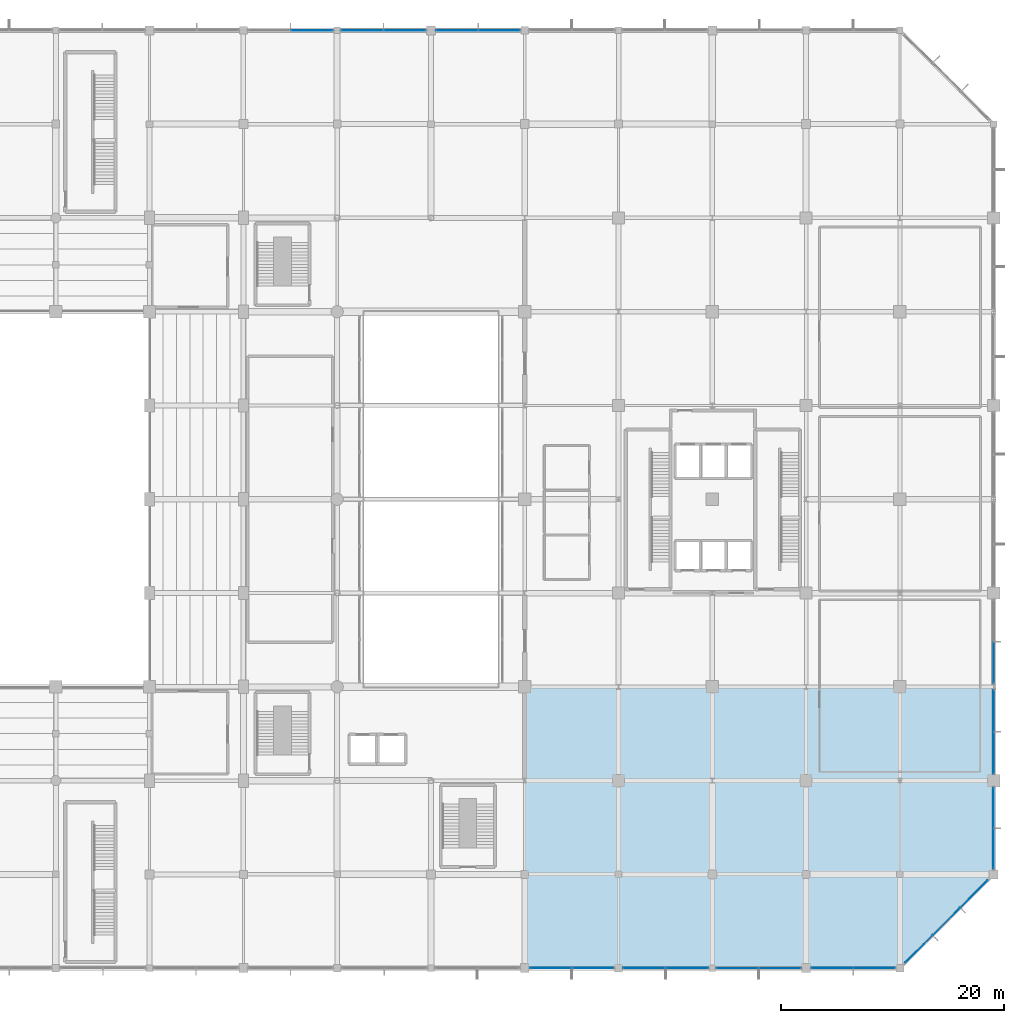
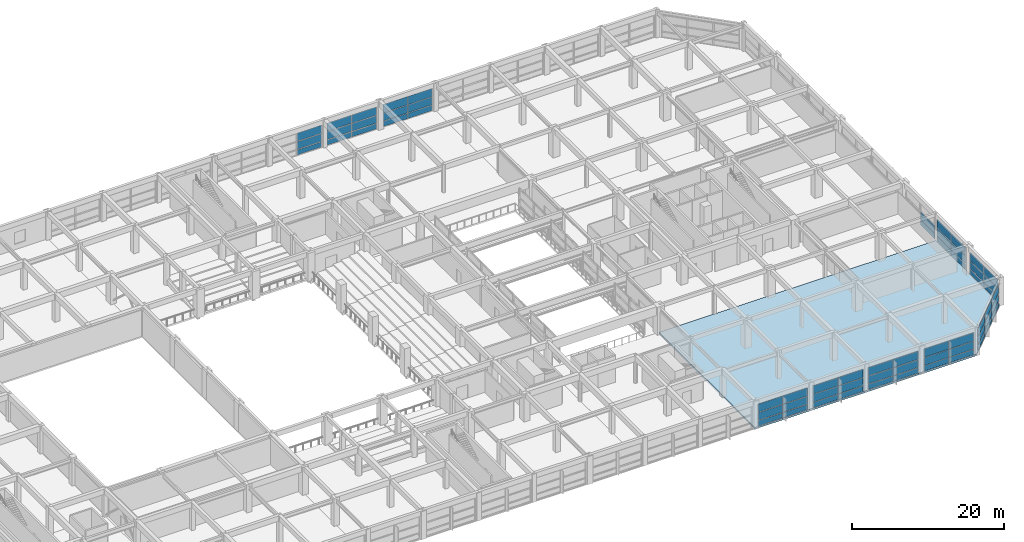
# One storey, part 46 of 62: 62 plates, 1 slab, 11 elements without a shape of their own.
"""IFC4 building model written with IfcOpenShell, lengths in metres."""

from ifc_helpers import new_model, si_unit, direction, frame, origin, origin_2d, place, context, subcontext, project, spatial, polyline, rectangle, outline, extrude, material, layer, layer_set, type_object, element, aggregate, save


model = new_model("IFC4")

# Units and contexts
model_context = context("Model", 3, precision=1e-05, world=origin(), true_north=direction((0.0, 1.0)))
body_context = subcontext(model_context, "Body", "Model", "MODEL_VIEW")
ifc_project = project(units=[si_unit("LENGTHUNIT", "METRE"), si_unit("AREAUNIT", "SQUARE_METRE"), si_unit("VOLUMEUNIT", "CUBIC_METRE"), si_unit("PLANEANGLEUNIT", "RADIAN"), si_unit("MASSUNIT", "GRAM", prefix="KILO")], contexts=[model_context])

# Site, building, storey
site_placement = place(None, origin())
site = spatial("IfcSite", under=ifc_project, at=site_placement, CompositionType="ELEMENT")
building_placement = place(site_placement, origin())
building = spatial("IfcBuilding", under=site, at=building_placement, Name="Xuanlan Plaza Opera House", CompositionType="ELEMENT")
storey_placement = place(building_placement, frame((0.0, 0.0, 14.39990234375)))
storey = spatial("IfcBuildingStorey", under=building, at=storey_placement, Name="L03", CompositionType="ELEMENT", Elevation=14.39990234375)

# Curtain wall, plates
ifc_material_1 = material(Name="Anodised Aluminium 6063-T6 and Low-E Glass", Category="aluminium")
curtain_wall_type_1 = type_object("IfcCurtainWallType", Name="ENV-CW-CW-02", PredefinedType="USERDEFINED", material=ifc_material_1)
curtain_wall_1_placement = place(storey_placement, origin())
curtain_wall_1 = element("IfcCurtainWall", 1, at=curtain_wall_1_placement, inside=storey, type_object=curtain_wall_type_1, Name="Unitised Curtain Wall L03-017", ObjectType="UNITISED CURTAIN WALL", PredefinedType="USERDEFINED")
ifc_material_2 = material(Name="Laminated Acoustic Double Glazing", Category="glass")
ifc_layer_1 = layer(ifc_material_2, 0.028076171875)
ifc_layer_set_1 = layer_set([ifc_layer_1], Name="Laminated Acoustic Double Glazing")
plate_type_1 = type_object("IfcPlateType", Name="ENV-CWP-01", PredefinedType="CURTAIN_PANEL", material=ifc_layer_set_1)
plate_1_placement = place(storey_placement, frame((145.052490234375, 16.800048828125, 0.080078125), z_axis=(0.0, 0.0, 1.0), x_axis=(1.0, 0.0, 0.0)))
plate_1 = element("IfcPlate", 2, at=plate_1_placement, type_object=plate_type_1, Name="CW-02 panel 1.1", PredefinedType="CURTAIN_PANEL", context=body_context, shape_type="SweptSolid", body=[
    extrude(rectangle(XDim=3.72509765625, YDim=0.028076171875, at=origin_2d()), origin(), (0.0, 0.0, 1.0), 0.830078125),
])
plate_2_placement = place(storey_placement, frame((145.052490234375, 16.800048828125, 0.990234375), z_axis=(0.0, 0.0, 1.0), x_axis=(1.0, 0.0, 0.0)))
plate_2 = element("IfcPlate", 3, at=plate_2_placement, type_object=plate_type_1, Name="CW-02 panel 1.2", PredefinedType="CURTAIN_PANEL", context=body_context, shape_type="SweptSolid", body=[
    extrude(rectangle(XDim=3.72509765625, YDim=0.028076171875, at=origin_2d()), origin(), (0.0, 0.0, 1.0), 1.219970703125),
])
plate_3_placement = place(storey_placement, frame((145.052490234375, 16.800048828125, 2.2900390625), z_axis=(0.0, 0.0, 1.0), x_axis=(1.0, 0.0, 0.0)))
plate_3 = element("IfcPlate", 4, at=plate_3_placement, type_object=plate_type_1, Name="CW-02 panel 1.3", PredefinedType="CURTAIN_PANEL", context=body_context, shape_type="SweptSolid", body=[
    extrude(rectangle(XDim=3.72509765625, YDim=0.028076171875, at=origin_2d()), origin(), (0.0, 0.0, 1.0), 1.31005859375),
])
plate_4_placement = place(storey_placement, frame((148.847412109375, 16.800048828125, 0.080078125), z_axis=(0.0, 0.0, 1.0), x_axis=(1.0, 0.0, 0.0)))
plate_4 = element("IfcPlate", 5, at=plate_4_placement, type_object=plate_type_1, Name="CW-02 panel 2.1", PredefinedType="CURTAIN_PANEL", context=body_context, shape_type="SweptSolid", body=[
    extrude(rectangle(XDim=3.72509765625, YDim=0.028076171875, at=origin_2d()), origin(), (0.0, 0.0, 1.0), 0.830078125),
])
plate_5_placement = place(storey_placement, frame((148.847412109375, 16.800048828125, 0.990234375), z_axis=(0.0, 0.0, 1.0), x_axis=(1.0, 0.0, 0.0)))
plate_5 = element("IfcPlate", 6, at=plate_5_placement, type_object=plate_type_1, Name="CW-02 panel 2.2", PredefinedType="CURTAIN_PANEL", context=body_context, shape_type="SweptSolid", body=[
    extrude(rectangle(XDim=3.72509765625, YDim=0.028076171875, at=origin_2d()), origin(), (0.0, 0.0, 1.0), 1.219970703125),
])
plate_6_placement = place(storey_placement, frame((148.847412109375, 16.800048828125, 2.2900390625), z_axis=(0.0, 0.0, 1.0), x_axis=(1.0, 0.0, 0.0)))
plate_6 = element("IfcPlate", 7, at=plate_6_placement, type_object=plate_type_1, Name="CW-02 panel 2.3", PredefinedType="CURTAIN_PANEL", context=body_context, shape_type="SweptSolid", body=[
    extrude(rectangle(XDim=3.72509765625, YDim=0.028076171875, at=origin_2d()), origin(), (0.0, 0.0, 1.0), 1.31005859375),
])
aggregate(curtain_wall_1, [plate_1, plate_2, plate_3, plate_4, plate_5, plate_6])

curtain_wall_type_2 = type_object("IfcCurtainWallType", Name="ENV-CW-CW-03", PredefinedType="USERDEFINED", material=ifc_material_1)
curtain_wall_2_placement = place(storey_placement, origin())
curtain_wall_2 = element("IfcCurtainWall", 8, at=curtain_wall_2_placement, inside=storey, type_object=curtain_wall_type_2, Name="Unitised Curtain Wall L03-022", ObjectType="UNITISED CURTAIN WALL", PredefinedType="USERDEFINED")
plate_7_placement = place(storey_placement, frame((168.0, 44.139892578125, 0.080078125), z_axis=(0.0, 0.0, 1.0), x_axis=(0.0, 1.0, 0.0)))
plate_7 = element("IfcPlate", 9, at=plate_7_placement, type_object=plate_type_1, Name="CW-03 panel 1.1", PredefinedType="CURTAIN_PANEL", context=body_context, shape_type="SweptSolid", body=[
    extrude(rectangle(XDim=3.699951171875, YDim=0.028076171875, at=origin_2d()), origin(), (0.0, 0.0, 1.0), 0.830078125),
])
plate_8_placement = place(storey_placement, frame((168.0, 44.139892578125, 0.990234375), z_axis=(0.0, 0.0, 1.0), x_axis=(0.0, 1.0, 0.0)))
plate_8 = element("IfcPlate", 10, at=plate_8_placement, type_object=plate_type_1, Name="CW-03 panel 1.2", PredefinedType="CURTAIN_PANEL", context=body_context, shape_type="SweptSolid", body=[
    extrude(rectangle(XDim=3.699951171875, YDim=0.028076171875, at=origin_2d()), origin(), (0.0, 0.0, 1.0), 1.219970703125),
])
aggregate(curtain_wall_2, [plate_7, plate_8])

curtain_wall_type_3 = type_object("IfcCurtainWallType", Name="ENV-CW-CW-04", PredefinedType="USERDEFINED", material=ifc_material_1)
curtain_wall_3_placement = place(storey_placement, origin())
curtain_wall_3 = element("IfcCurtainWall", 11, at=curtain_wall_3_placement, inside=storey, type_object=curtain_wall_type_3, Name="Unitised Curtain Wall L03-019", ObjectType="UNITISED CURTAIN WALL", PredefinedType="USERDEFINED")
ifc_layer_2 = layer(ifc_material_2, 0.031982421875)
ifc_layer_set_2 = layer_set([ifc_layer_2], Name="Laminated Acoustic Double Glazing")
plate_type_2 = type_object("IfcPlateType", Name="ENV-CWP-02", PredefinedType="CURTAIN_PANEL", material=ifc_layer_set_2)
plate_9_placement = place(storey_placement, frame((161.30517578125, 18.505126953125, 0.0751953125), z_axis=(0.0, 0.0, 1.0), x_axis=(0.707106781187, 0.707106781187, 0.0)))
plate_9 = element("IfcPlate", 12, at=plate_9_placement, type_object=plate_type_2, Name="CW-04 panel 1.1", PredefinedType="CURTAIN_PANEL", context=body_context, shape_type="SweptSolid", body=[
    extrude(rectangle(XDim=3.392822265625, YDim=0.031982421875, at=origin_2d()), origin(), (0.0, 0.0, 1.0), 0.83740234375),
])
plate_10_placement = place(storey_placement, frame((161.30517578125, 18.505126953125, 0.987548828125), z_axis=(0.0, 0.0, 1.0), x_axis=(0.707106781187, 0.707106781187, 0.0)))
plate_10 = element("IfcPlate", 13, at=plate_10_placement, type_object=plate_type_2, Name="CW-04 panel 1.2", PredefinedType="CURTAIN_PANEL", context=body_context, shape_type="SweptSolid", body=[
    extrude(rectangle(XDim=3.392822265625, YDim=0.031982421875, at=origin_2d()), origin(), (0.0, 0.0, 1.0), 1.22509765625),
])
plate_11_placement = place(storey_placement, frame((161.30517578125, 18.505126953125, 2.28759765625), z_axis=(0.0, 0.0, 1.0), x_axis=(0.707106781187, 0.707106781187, 0.0)))
plate_11 = element("IfcPlate", 14, at=plate_11_placement, type_object=plate_type_2, Name="CW-04 panel 1.3", PredefinedType="CURTAIN_PANEL", context=body_context, shape_type="SweptSolid", body=[
    extrude(rectangle(XDim=3.392822265625, YDim=0.031982421875, at=origin_2d()), origin(), (0.0, 0.0, 1.0), 1.3173828125),
])
plate_12_placement = place(storey_placement, frame((163.77490234375, 20.97509765625, 0.0751953125), z_axis=(0.0, 0.0, 1.0), x_axis=(0.707106781187, 0.707106781187, 0.0)))
plate_12 = element("IfcPlate", 15, at=plate_12_placement, type_object=plate_type_2, Name="CW-04 panel 2.1", PredefinedType="CURTAIN_PANEL", context=body_context, shape_type="SweptSolid", body=[
    extrude(rectangle(XDim=3.432861328125, YDim=0.031982421875, at=origin_2d()), origin(), (0.0, 0.0, 1.0), 0.83740234375),
])
plate_13_placement = place(storey_placement, frame((163.77490234375, 20.97509765625, 0.987548828125), z_axis=(0.0, 0.0, 1.0), x_axis=(0.707106781187, 0.707106781187, 0.0)))
plate_13 = element("IfcPlate", 16, at=plate_13_placement, type_object=plate_type_2, Name="CW-04 panel 2.2", PredefinedType="CURTAIN_PANEL", context=body_context, shape_type="SweptSolid", body=[
    extrude(rectangle(XDim=3.432861328125, YDim=0.031982421875, at=origin_2d()), origin(), (0.0, 0.0, 1.0), 1.22509765625),
])
plate_14_placement = place(storey_placement, frame((163.77490234375, 20.97509765625, 2.28759765625), z_axis=(0.0, 0.0, 1.0), x_axis=(0.707106781187, 0.707106781187, 0.0)))
plate_14 = element("IfcPlate", 17, at=plate_14_placement, type_object=plate_type_2, Name="CW-04 panel 2.3", PredefinedType="CURTAIN_PANEL", context=body_context, shape_type="SweptSolid", body=[
    extrude(rectangle(XDim=3.432861328125, YDim=0.031982421875, at=origin_2d()), origin(), (0.0, 0.0, 1.0), 1.3173828125),
])
plate_15_placement = place(storey_placement, frame((166.244873046875, 23.44482421875, 0.0751953125), z_axis=(0.0, 0.0, 1.0), x_axis=(0.707106781187, 0.707106781187, 0.0)))
plate_15 = element("IfcPlate", 18, at=plate_15_placement, type_object=plate_type_2, Name="CW-04 panel 3.1", PredefinedType="CURTAIN_PANEL", context=body_context, shape_type="SweptSolid", body=[
    extrude(rectangle(XDim=3.392822265625, YDim=0.031982421875, at=origin_2d()), origin(), (0.0, 0.0, 1.0), 0.83740234375),
])
plate_16_placement = place(storey_placement, frame((166.244873046875, 23.44482421875, 0.987548828125), z_axis=(0.0, 0.0, 1.0), x_axis=(0.707106781187, 0.707106781187, 0.0)))
plate_16 = element("IfcPlate", 19, at=plate_16_placement, type_object=plate_type_2, Name="CW-04 panel 3.2", PredefinedType="CURTAIN_PANEL", context=body_context, shape_type="SweptSolid", body=[
    extrude(rectangle(XDim=3.392822265625, YDim=0.031982421875, at=origin_2d()), origin(), (0.0, 0.0, 1.0), 1.22509765625),
])
plate_17_placement = place(storey_placement, frame((166.244873046875, 23.44482421875, 2.28759765625), z_axis=(0.0, 0.0, 1.0), x_axis=(0.707106781187, 0.707106781187, 0.0)))
plate_17 = element("IfcPlate", 20, at=plate_17_placement, type_object=plate_type_2, Name="CW-04 panel 3.3", PredefinedType="CURTAIN_PANEL", context=body_context, shape_type="SweptSolid", body=[
    extrude(rectangle(XDim=3.392822265625, YDim=0.031982421875, at=origin_2d()), origin(), (0.0, 0.0, 1.0), 1.3173828125),
])
aggregate(curtain_wall_3, [plate_9, plate_10, plate_11, plate_12, plate_13, plate_14, plate_15, plate_16, plate_17])

curtain_wall_type_4 = type_object("IfcCurtainWallType", Name="ENV-CW-CW-05", PredefinedType="USERDEFINED", material=ifc_material_1)
curtain_wall_4_placement = place(storey_placement, origin())
curtain_wall_4 = element("IfcCurtainWall", 21, at=curtain_wall_4_placement, inside=storey, type_object=curtain_wall_type_4, Name="Acoustic Glazed Wall L03-034", ObjectType="ACOUSTIC GLAZED WALL", PredefinedType="USERDEFINED")
plate_18_placement = place(storey_placement, frame((115.2451171875, 100.800048828125, 0.0751953125), z_axis=(0.0, 0.0, 1.0), x_axis=(-1.0, 0.0, 0.0)))
plate_18 = element("IfcPlate", 22, at=plate_18_placement, type_object=plate_type_2, Name="CW-05 panel 1.1", PredefinedType="CURTAIN_PANEL", context=body_context, shape_type="SweptSolid", body=[
    extrude(rectangle(XDim=3.7099609375, YDim=0.031982421875, at=origin_2d()), origin(), (0.0, 0.0, 1.0), 0.83740234375),
])
plate_19_placement = place(storey_placement, frame((115.2451171875, 100.800048828125, 0.987548828125), z_axis=(0.0, 0.0, 1.0), x_axis=(-1.0, 0.0, 0.0)))
plate_19 = element("IfcPlate", 23, at=plate_19_placement, type_object=plate_type_2, Name="CW-05 panel 1.2", PredefinedType="CURTAIN_PANEL", context=body_context, shape_type="SweptSolid", body=[
    extrude(rectangle(XDim=3.7099609375, YDim=0.031982421875, at=origin_2d()), origin(), (0.0, 0.0, 1.0), 1.22509765625),
])
plate_20_placement = place(storey_placement, frame((115.2451171875, 100.800048828125, 2.28759765625), z_axis=(0.0, 0.0, 1.0), x_axis=(-1.0, 0.0, 0.0)))
plate_20 = element("IfcPlate", 24, at=plate_20_placement, type_object=plate_type_2, Name="CW-05 panel 1.3", PredefinedType="CURTAIN_PANEL", context=body_context, shape_type="SweptSolid", body=[
    extrude(rectangle(XDim=3.7099609375, YDim=0.031982421875, at=origin_2d()), origin(), (0.0, 0.0, 1.0), 1.3173828125),
])
plate_21_placement = place(storey_placement, frame((111.455078125, 100.800048828125, 0.0751953125), z_axis=(0.0, 0.0, 1.0), x_axis=(-1.0, 0.0, 0.0)))
plate_21 = element("IfcPlate", 25, at=plate_21_placement, type_object=plate_type_2, Name="CW-05 panel 2.1", PredefinedType="CURTAIN_PANEL", context=body_context, shape_type="SweptSolid", body=[
    extrude(rectangle(XDim=3.7099609375, YDim=0.031982421875, at=origin_2d()), origin(), (0.0, 0.0, 1.0), 0.83740234375),
])
plate_22_placement = place(storey_placement, frame((111.455078125, 100.800048828125, 0.987548828125), z_axis=(0.0, 0.0, 1.0), x_axis=(-1.0, 0.0, 0.0)))
plate_22 = element("IfcPlate", 26, at=plate_22_placement, type_object=plate_type_2, Name="CW-05 panel 2.2", PredefinedType="CURTAIN_PANEL", context=body_context, shape_type="SweptSolid", body=[
    extrude(rectangle(XDim=3.7099609375, YDim=0.031982421875, at=origin_2d()), origin(), (0.0, 0.0, 1.0), 1.22509765625),
])
plate_23_placement = place(storey_placement, frame((111.455078125, 100.800048828125, 2.28759765625), z_axis=(0.0, 0.0, 1.0), x_axis=(-1.0, 0.0, 0.0)))
plate_23 = element("IfcPlate", 27, at=plate_23_placement, type_object=plate_type_2, Name="CW-05 panel 2.3", PredefinedType="CURTAIN_PANEL", context=body_context, shape_type="SweptSolid", body=[
    extrude(rectangle(XDim=3.7099609375, YDim=0.031982421875, at=origin_2d()), origin(), (0.0, 0.0, 1.0), 1.3173828125),
])
aggregate(curtain_wall_4, [plate_18, plate_19, plate_20, plate_21, plate_22, plate_23])

curtain_wall_type_5 = type_object("IfcCurtainWallType", Name="ENV-CW-CW-01", PredefinedType="USERDEFINED", material=ifc_material_1)
curtain_wall_5_placement = place(storey_placement, origin())
curtain_wall_5 = element("IfcCurtainWall", 28, at=curtain_wall_5_placement, inside=storey, type_object=curtain_wall_type_5, Name="Unitised Curtain Wall L03-016", ObjectType="UNITISED CURTAIN WALL", PredefinedType="USERDEFINED")
ifc_layer_3 = layer(ifc_material_2, 0.035888671875)
ifc_layer_set_3 = layer_set([ifc_layer_3], Name="Laminated Acoustic Double Glazing")
plate_type_3 = type_object("IfcPlateType", Name="ENV-CWP-03", PredefinedType="CURTAIN_PANEL", material=ifc_layer_set_3)
plate_24_placement = place(storey_placement, frame((136.7138671875, 16.800048828125, 0.0703125), z_axis=(0.0, 0.0, 1.0), x_axis=(1.0, 0.0, 0.0)))
plate_24 = element("IfcPlate", 29, at=plate_24_placement, type_object=plate_type_3, Name="CW-01 panel 1.1", PredefinedType="CURTAIN_PANEL", context=body_context, shape_type="SweptSolid", body=[
    extrude(rectangle(XDim=3.757568359375, YDim=0.035888671875, at=origin_2d()), origin(), (0.0, 0.0, 1.0), 0.844970703125),
])
plate_25_placement = place(storey_placement, frame((136.7138671875, 16.800048828125, 0.985107421875), z_axis=(0.0, 0.0, 1.0), x_axis=(1.0, 0.0, 0.0)))
plate_25 = element("IfcPlate", 30, at=plate_25_placement, type_object=plate_type_3, Name="CW-01 panel 1.2", PredefinedType="CURTAIN_PANEL", context=body_context, shape_type="SweptSolid", body=[
    extrude(rectangle(XDim=3.757568359375, YDim=0.035888671875, at=origin_2d()), origin(), (0.0, 0.0, 1.0), 1.22998046875),
])
plate_26_placement = place(storey_placement, frame((136.7138671875, 16.800048828125, 2.28515625), z_axis=(0.0, 0.0, 1.0), x_axis=(1.0, 0.0, 0.0)))
plate_26 = element("IfcPlate", 31, at=plate_26_placement, type_object=plate_type_3, Name="CW-01 panel 1.3", PredefinedType="CURTAIN_PANEL", context=body_context, shape_type="SweptSolid", body=[
    extrude(rectangle(XDim=3.757568359375, YDim=0.035888671875, at=origin_2d()), origin(), (0.0, 0.0, 1.0), 1.324951171875),
])
plate_27_placement = place(storey_placement, frame((140.5361328125, 16.800048828125, 0.0703125), z_axis=(0.0, 0.0, 1.0), x_axis=(1.0, 0.0, 0.0)))
plate_27 = element("IfcPlate", 32, at=plate_27_placement, type_object=plate_type_3, Name="CW-01 panel 2.1", PredefinedType="CURTAIN_PANEL", context=body_context, shape_type="SweptSolid", body=[
    extrude(rectangle(XDim=3.757568359375, YDim=0.035888671875, at=origin_2d()), origin(), (0.0, 0.0, 1.0), 0.844970703125),
])
plate_28_placement = place(storey_placement, frame((140.5361328125, 16.800048828125, 0.985107421875), z_axis=(0.0, 0.0, 1.0), x_axis=(1.0, 0.0, 0.0)))
plate_28 = element("IfcPlate", 33, at=plate_28_placement, type_object=plate_type_3, Name="CW-01 panel 2.2", PredefinedType="CURTAIN_PANEL", context=body_context, shape_type="SweptSolid", body=[
    extrude(rectangle(XDim=3.757568359375, YDim=0.035888671875, at=origin_2d()), origin(), (0.0, 0.0, 1.0), 1.22998046875),
])
plate_29_placement = place(storey_placement, frame((140.5361328125, 16.800048828125, 2.28515625), z_axis=(0.0, 0.0, 1.0), x_axis=(1.0, 0.0, 0.0)))
plate_29 = element("IfcPlate", 34, at=plate_29_placement, type_object=plate_type_3, Name="CW-01 panel 2.3", PredefinedType="CURTAIN_PANEL", context=body_context, shape_type="SweptSolid", body=[
    extrude(rectangle(XDim=3.757568359375, YDim=0.035888671875, at=origin_2d()), origin(), (0.0, 0.0, 1.0), 1.324951171875),
])
aggregate(curtain_wall_5, [plate_24, plate_25, plate_26, plate_27, plate_28, plate_29])

curtain_wall_6_placement = place(storey_placement, origin())
curtain_wall_6 = element("IfcCurtainWall", 35, at=curtain_wall_6_placement, inside=storey, type_object=curtain_wall_type_1, Name="Unitised Curtain Wall L03-021", ObjectType="UNITISED CURTAIN WALL", PredefinedType="USERDEFINED")
plate_30_placement = place(storey_placement, frame((168.0, 36.0888671875, 0.0703125), z_axis=(0.0, 0.0, 1.0), x_axis=(0.0, 1.0, 0.0)))
plate_30 = element("IfcPlate", 36, at=plate_30_placement, type_object=plate_type_3, Name="CW-02 panel 1.1", PredefinedType="CURTAIN_PANEL", context=body_context, shape_type="SweptSolid", body=[
    extrude(rectangle(XDim=3.70751953125, YDim=0.035888671875, at=origin_2d()), origin(), (0.0, 0.0, 1.0), 0.844970703125),
])
plate_31_placement = place(storey_placement, frame((168.0, 36.0888671875, 0.985107421875), z_axis=(0.0, 0.0, 1.0), x_axis=(0.0, 1.0, 0.0)))
plate_31 = element("IfcPlate", 37, at=plate_31_placement, type_object=plate_type_3, Name="CW-02 panel 1.2", PredefinedType="CURTAIN_PANEL", context=body_context, shape_type="SweptSolid", body=[
    extrude(rectangle(XDim=3.70751953125, YDim=0.035888671875, at=origin_2d()), origin(), (0.0, 0.0, 1.0), 1.22998046875),
])
plate_32_placement = place(storey_placement, frame((168.0, 36.0888671875, 2.28515625), z_axis=(0.0, 0.0, 1.0), x_axis=(0.0, 1.0, 0.0)))
plate_32 = element("IfcPlate", 38, at=plate_32_placement, type_object=plate_type_3, Name="CW-02 panel 1.3", PredefinedType="CURTAIN_PANEL", context=body_context, shape_type="SweptSolid", body=[
    extrude(rectangle(XDim=3.70751953125, YDim=0.035888671875, at=origin_2d()), origin(), (0.0, 0.0, 1.0), 1.324951171875),
])
plate_33_placement = place(storey_placement, frame((168.0, 39.861328125, 0.0703125), z_axis=(0.0, 0.0, 1.0), x_axis=(0.0, 1.0, 0.0)))
plate_33 = element("IfcPlate", 39, at=plate_33_placement, type_object=plate_type_3, Name="CW-02 panel 2.1", PredefinedType="CURTAIN_PANEL", context=body_context, shape_type="SweptSolid", body=[
    extrude(rectangle(XDim=3.70751953125, YDim=0.035888671875, at=origin_2d()), origin(), (0.0, 0.0, 1.0), 0.844970703125),
])
plate_34_placement = place(storey_placement, frame((168.0, 39.861328125, 0.985107421875), z_axis=(0.0, 0.0, 1.0), x_axis=(0.0, 1.0, 0.0)))
plate_34 = element("IfcPlate", 40, at=plate_34_placement, type_object=plate_type_3, Name="CW-02 panel 2.2", PredefinedType="CURTAIN_PANEL", context=body_context, shape_type="SweptSolid", body=[
    extrude(rectangle(XDim=3.70751953125, YDim=0.035888671875, at=origin_2d()), origin(), (0.0, 0.0, 1.0), 1.22998046875),
])
plate_35_placement = place(storey_placement, frame((168.0, 39.861328125, 2.28515625), z_axis=(0.0, 0.0, 1.0), x_axis=(0.0, 1.0, 0.0)))
plate_35 = element("IfcPlate", 41, at=plate_35_placement, type_object=plate_type_3, Name="CW-02 panel 2.3", PredefinedType="CURTAIN_PANEL", context=body_context, shape_type="SweptSolid", body=[
    extrude(rectangle(XDim=3.70751953125, YDim=0.035888671875, at=origin_2d()), origin(), (0.0, 0.0, 1.0), 1.324951171875),
])
aggregate(curtain_wall_6, [plate_30, plate_31, plate_32, plate_33, plate_34, plate_35])

curtain_wall_7_placement = place(storey_placement, origin())
curtain_wall_7 = element("IfcCurtainWall", 42, at=curtain_wall_7_placement, inside=storey, type_object=curtain_wall_type_2, Name="Unitised Curtain Wall L03-018", ObjectType="UNITISED CURTAIN WALL", PredefinedType="USERDEFINED")
ifc_layer_4 = layer(ifc_material_2, 0.0400390625)
ifc_layer_set_4 = layer_set([ifc_layer_4], Name="Laminated Acoustic Double Glazing")
plate_type_4 = type_object("IfcPlateType", Name="ENV-CWP-04", PredefinedType="CURTAIN_PANEL", material=ifc_layer_set_4)
plate_36_placement = place(storey_placement, frame((153.541259765625, 16.800048828125, 0.065185546875), z_axis=(0.0, 0.0, 1.0), x_axis=(1.0, 0.0, 0.0)))
plate_36 = element("IfcPlate", 43, at=plate_36_placement, type_object=plate_type_4, Name="CW-03 panel 1.1", PredefinedType="CURTAIN_PANEL", context=body_context, shape_type="SweptSolid", body=[
    extrude(rectangle(XDim=3.6923828125, YDim=0.0400390625, at=origin_2d()), origin(), (0.0, 0.0, 1.0), 0.8525390625),
])
plate_37_placement = place(storey_placement, frame((153.541259765625, 16.800048828125, 0.982421875), z_axis=(0.0, 0.0, 1.0), x_axis=(1.0, 0.0, 0.0)))
plate_37 = element("IfcPlate", 44, at=plate_37_placement, type_object=plate_type_4, Name="CW-03 panel 1.2", PredefinedType="CURTAIN_PANEL", context=body_context, shape_type="SweptSolid", body=[
    extrude(rectangle(XDim=3.6923828125, YDim=0.0400390625, at=origin_2d()), origin(), (0.0, 0.0, 1.0), 1.235107421875),
])
plate_38_placement = place(storey_placement, frame((153.541259765625, 16.800048828125, 2.282470703125), z_axis=(0.0, 0.0, 1.0), x_axis=(1.0, 0.0, 0.0)))
plate_38 = element("IfcPlate", 45, at=plate_38_placement, type_object=plate_type_4, Name="CW-03 panel 1.3", PredefinedType="CURTAIN_PANEL", context=body_context, shape_type="SweptSolid", body=[
    extrude(rectangle(XDim=3.6923828125, YDim=0.0400390625, at=origin_2d()), origin(), (0.0, 0.0, 1.0), 1.33251953125),
])
plate_39_placement = place(storey_placement, frame((157.308837890625, 16.800048828125, 0.065185546875), z_axis=(0.0, 0.0, 1.0), x_axis=(1.0, 0.0, 0.0)))
plate_39 = element("IfcPlate", 46, at=plate_39_placement, type_object=plate_type_4, Name="CW-03 panel 2.1", PredefinedType="CURTAIN_PANEL", context=body_context, shape_type="SweptSolid", body=[
    extrude(rectangle(XDim=3.6923828125, YDim=0.0400390625, at=origin_2d()), origin(), (0.0, 0.0, 1.0), 0.8525390625),
])
plate_40_placement = place(storey_placement, frame((157.308837890625, 16.800048828125, 0.982421875), z_axis=(0.0, 0.0, 1.0), x_axis=(1.0, 0.0, 0.0)))
plate_40 = element("IfcPlate", 47, at=plate_40_placement, type_object=plate_type_4, Name="CW-03 panel 2.2", PredefinedType="CURTAIN_PANEL", context=body_context, shape_type="SweptSolid", body=[
    extrude(rectangle(XDim=3.6923828125, YDim=0.0400390625, at=origin_2d()), origin(), (0.0, 0.0, 1.0), 1.235107421875),
])
plate_41_placement = place(storey_placement, frame((157.308837890625, 16.800048828125, 2.282470703125), z_axis=(0.0, 0.0, 1.0), x_axis=(1.0, 0.0, 0.0)))
plate_41 = element("IfcPlate", 48, at=plate_41_placement, type_object=plate_type_4, Name="CW-03 panel 2.3", PredefinedType="CURTAIN_PANEL", context=body_context, shape_type="SweptSolid", body=[
    extrude(rectangle(XDim=3.6923828125, YDim=0.0400390625, at=origin_2d()), origin(), (0.0, 0.0, 1.0), 1.33251953125),
])
aggregate(curtain_wall_7, [plate_36, plate_37, plate_38, plate_39, plate_40, plate_41])

curtain_wall_type_6 = type_object("IfcCurtainWallType", Name="ENV-CW-CW-06", PredefinedType="USERDEFINED", material=ifc_material_1)
curtain_wall_8_placement = place(storey_placement, origin())
curtain_wall_8 = element("IfcCurtainWall", 49, at=curtain_wall_8_placement, inside=storey, type_object=curtain_wall_type_6, Name="Acoustic Glazed Wall L03-033", ObjectType="ACOUSTIC GLAZED WALL", PredefinedType="USERDEFINED")
plate_42_placement = place(storey_placement, frame((123.708740234375, 100.800048828125, 0.065185546875), z_axis=(0.0, 0.0, 1.0), x_axis=(-1.0, 0.0, 0.0)))
plate_42 = element("IfcPlate", 50, at=plate_42_placement, type_object=plate_type_4, Name="CW-06 panel 1.1", PredefinedType="CURTAIN_PANEL", context=body_context, shape_type="SweptSolid", body=[
    extrude(rectangle(XDim=3.6923828125, YDim=0.0400390625, at=origin_2d()), origin(), (0.0, 0.0, 1.0), 0.8525390625),
])
plate_43_placement = place(storey_placement, frame((123.708740234375, 100.800048828125, 0.982421875), z_axis=(0.0, 0.0, 1.0), x_axis=(-1.0, 0.0, 0.0)))
plate_43 = element("IfcPlate", 51, at=plate_43_placement, type_object=plate_type_4, Name="CW-06 panel 1.2", PredefinedType="CURTAIN_PANEL", context=body_context, shape_type="SweptSolid", body=[
    extrude(rectangle(XDim=3.6923828125, YDim=0.0400390625, at=origin_2d()), origin(), (0.0, 0.0, 1.0), 1.235107421875),
])
plate_44_placement = place(storey_placement, frame((123.708740234375, 100.800048828125, 2.282470703125), z_axis=(0.0, 0.0, 1.0), x_axis=(-1.0, 0.0, 0.0)))
plate_44 = element("IfcPlate", 52, at=plate_44_placement, type_object=plate_type_4, Name="CW-06 panel 1.3", PredefinedType="CURTAIN_PANEL", context=body_context, shape_type="SweptSolid", body=[
    extrude(rectangle(XDim=3.6923828125, YDim=0.0400390625, at=origin_2d()), origin(), (0.0, 0.0, 1.0), 1.33251953125),
])
plate_45_placement = place(storey_placement, frame((119.941162109375, 100.800048828125, 0.065185546875), z_axis=(0.0, 0.0, 1.0), x_axis=(-1.0, 0.0, 0.0)))
plate_45 = element("IfcPlate", 53, at=plate_45_placement, type_object=plate_type_4, Name="CW-06 panel 2.1", PredefinedType="CURTAIN_PANEL", context=body_context, shape_type="SweptSolid", body=[
    extrude(rectangle(XDim=3.6923828125, YDim=0.0400390625, at=origin_2d()), origin(), (0.0, 0.0, 1.0), 0.8525390625),
])
plate_46_placement = place(storey_placement, frame((119.941162109375, 100.800048828125, 0.982421875), z_axis=(0.0, 0.0, 1.0), x_axis=(-1.0, 0.0, 0.0)))
plate_46 = element("IfcPlate", 54, at=plate_46_placement, type_object=plate_type_4, Name="CW-06 panel 2.2", PredefinedType="CURTAIN_PANEL", context=body_context, shape_type="SweptSolid", body=[
    extrude(rectangle(XDim=3.6923828125, YDim=0.0400390625, at=origin_2d()), origin(), (0.0, 0.0, 1.0), 1.235107421875),
])
plate_47_placement = place(storey_placement, frame((119.941162109375, 100.800048828125, 2.282470703125), z_axis=(0.0, 0.0, 1.0), x_axis=(-1.0, 0.0, 0.0)))
plate_47 = element("IfcPlate", 55, at=plate_47_placement, type_object=plate_type_4, Name="CW-06 panel 2.3", PredefinedType="CURTAIN_PANEL", context=body_context, shape_type="SweptSolid", body=[
    extrude(rectangle(XDim=3.6923828125, YDim=0.0400390625, at=origin_2d()), origin(), (0.0, 0.0, 1.0), 1.33251953125),
])
aggregate(curtain_wall_8, [plate_42, plate_43, plate_44, plate_45, plate_46, plate_47])

curtain_wall_9_placement = place(storey_placement, origin())
curtain_wall_9 = element("IfcCurtainWall", 56, at=curtain_wall_9_placement, inside=storey, type_object=curtain_wall_type_6, Name="Acoustic Glazed Wall L03-015", ObjectType="ACOUSTIC GLAZED WALL", PredefinedType="USERDEFINED")
ifc_layer_5 = layer(ifc_material_2, 0.0439453125)
ifc_layer_set_5 = layer_set([ifc_layer_5], Name="Laminated Acoustic Double Glazing")
plate_type_5 = type_object("IfcPlateType", Name="ENV-CWP-05", PredefinedType="CURTAIN_PANEL", material=ifc_layer_set_5)
plate_48_placement = place(storey_placement, frame((128.344970703125, 16.800048828125, 0.090087890625), z_axis=(0.0, 0.0, 1.0), x_axis=(1.0, 0.0, 0.0)))
plate_48 = element("IfcPlate", 57, at=plate_48_placement, type_object=plate_type_5, Name="CW-06 panel 1.1", PredefinedType="CURTAIN_PANEL", context=body_context, shape_type="SweptSolid", body=[
    extrude(rectangle(XDim=3.669921875, YDim=0.0439453125, at=origin_2d()), origin(), (0.0, 0.0, 1.0), 0.81494140625),
])
plate_49_placement = place(storey_placement, frame((128.344970703125, 16.800048828125, 0.9951171875), z_axis=(0.0, 0.0, 1.0), x_axis=(1.0, 0.0, 0.0)))
plate_49 = element("IfcPlate", 58, at=plate_49_placement, type_object=plate_type_5, Name="CW-06 panel 1.2", PredefinedType="CURTAIN_PANEL", context=body_context, shape_type="SweptSolid", body=[
    extrude(rectangle(XDim=3.669921875, YDim=0.0439453125, at=origin_2d()), origin(), (0.0, 0.0, 1.0), 1.2099609375),
])
plate_50_placement = place(storey_placement, frame((128.344970703125, 16.800048828125, 2.295166015625), z_axis=(0.0, 0.0, 1.0), x_axis=(1.0, 0.0, 0.0)))
plate_50 = element("IfcPlate", 59, at=plate_50_placement, type_object=plate_type_5, Name="CW-06 panel 1.3", PredefinedType="CURTAIN_PANEL", context=body_context, shape_type="SweptSolid", body=[
    extrude(rectangle(XDim=3.669921875, YDim=0.0439453125, at=origin_2d()), origin(), (0.0, 0.0, 1.0), 1.294921875),
])
plate_51_placement = place(storey_placement, frame((132.10498046875, 16.800048828125, 0.090087890625), z_axis=(0.0, 0.0, 1.0), x_axis=(1.0, 0.0, 0.0)))
plate_51 = element("IfcPlate", 60, at=plate_51_placement, type_object=plate_type_5, Name="CW-06 panel 2.1", PredefinedType="CURTAIN_PANEL", context=body_context, shape_type="SweptSolid", body=[
    extrude(rectangle(XDim=3.669921875, YDim=0.0439453125, at=origin_2d()), origin(), (0.0, 0.0, 1.0), 0.81494140625),
])
plate_52_placement = place(storey_placement, frame((132.10498046875, 16.800048828125, 0.9951171875), z_axis=(0.0, 0.0, 1.0), x_axis=(1.0, 0.0, 0.0)))
plate_52 = element("IfcPlate", 61, at=plate_52_placement, type_object=plate_type_5, Name="CW-06 panel 2.2", PredefinedType="CURTAIN_PANEL", context=body_context, shape_type="SweptSolid", body=[
    extrude(rectangle(XDim=3.669921875, YDim=0.0439453125, at=origin_2d()), origin(), (0.0, 0.0, 1.0), 1.2099609375),
])
plate_53_placement = place(storey_placement, frame((132.10498046875, 16.800048828125, 2.295166015625), z_axis=(0.0, 0.0, 1.0), x_axis=(1.0, 0.0, 0.0)))
plate_53 = element("IfcPlate", 62, at=plate_53_placement, type_object=plate_type_5, Name="CW-06 panel 2.3", PredefinedType="CURTAIN_PANEL", context=body_context, shape_type="SweptSolid", body=[
    extrude(rectangle(XDim=3.669921875, YDim=0.0439453125, at=origin_2d()), origin(), (0.0, 0.0, 1.0), 1.294921875),
])
aggregate(curtain_wall_9, [plate_48, plate_49, plate_50, plate_51, plate_52, plate_53])

curtain_wall_10_placement = place(storey_placement, origin())
curtain_wall_10 = element("IfcCurtainWall", 63, at=curtain_wall_10_placement, inside=storey, type_object=curtain_wall_type_5, Name="Unitised Curtain Wall L03-020", ObjectType="UNITISED CURTAIN WALL", PredefinedType="USERDEFINED")
plate_54_placement = place(storey_placement, frame((168.0, 27.4951171875, 0.090087890625), z_axis=(0.0, 0.0, 1.0), x_axis=(0.0, 1.0, 0.0)))
plate_54 = element("IfcPlate", 64, at=plate_54_placement, type_object=plate_type_5, Name="CW-01 panel 1.1", PredefinedType="CURTAIN_PANEL", context=body_context, shape_type="SweptSolid", body=[
    extrude(rectangle(XDim=3.570068359375, YDim=0.0439453125, at=origin_2d()), origin(), (0.0, 0.0, 1.0), 0.81494140625),
])
plate_55_placement = place(storey_placement, frame((168.0, 27.4951171875, 0.9951171875), z_axis=(0.0, 0.0, 1.0), x_axis=(0.0, 1.0, 0.0)))
plate_55 = element("IfcPlate", 65, at=plate_55_placement, type_object=plate_type_5, Name="CW-01 panel 1.2", PredefinedType="CURTAIN_PANEL", context=body_context, shape_type="SweptSolid", body=[
    extrude(rectangle(XDim=3.570068359375, YDim=0.0439453125, at=origin_2d()), origin(), (0.0, 0.0, 1.0), 1.2099609375),
])
plate_56_placement = place(storey_placement, frame((168.0, 27.4951171875, 2.295166015625), z_axis=(0.0, 0.0, 1.0), x_axis=(0.0, 1.0, 0.0)))
plate_56 = element("IfcPlate", 66, at=plate_56_placement, type_object=plate_type_5, Name="CW-01 panel 1.3", PredefinedType="CURTAIN_PANEL", context=body_context, shape_type="SweptSolid", body=[
    extrude(rectangle(XDim=3.570068359375, YDim=0.0439453125, at=origin_2d()), origin(), (0.0, 0.0, 1.0), 1.294921875),
])
plate_57_placement = place(storey_placement, frame((168.0, 31.155029296875, 0.090087890625), z_axis=(0.0, 0.0, 1.0), x_axis=(0.0, 1.0, 0.0)))
plate_57 = element("IfcPlate", 67, at=plate_57_placement, type_object=plate_type_5, Name="CW-01 panel 2.1", PredefinedType="CURTAIN_PANEL", context=body_context, shape_type="SweptSolid", body=[
    extrude(rectangle(XDim=3.570068359375, YDim=0.0439453125, at=origin_2d()), origin(), (0.0, 0.0, 1.0), 0.81494140625),
])
plate_58_placement = place(storey_placement, frame((168.0, 31.155029296875, 0.9951171875), z_axis=(0.0, 0.0, 1.0), x_axis=(0.0, 1.0, 0.0)))
plate_58 = element("IfcPlate", 68, at=plate_58_placement, type_object=plate_type_5, Name="CW-01 panel 2.2", PredefinedType="CURTAIN_PANEL", context=body_context, shape_type="SweptSolid", body=[
    extrude(rectangle(XDim=3.570068359375, YDim=0.0439453125, at=origin_2d()), origin(), (0.0, 0.0, 1.0), 1.2099609375),
])
plate_59_placement = place(storey_placement, frame((168.0, 31.155029296875, 2.295166015625), z_axis=(0.0, 0.0, 1.0), x_axis=(0.0, 1.0, 0.0)))
plate_59 = element("IfcPlate", 69, at=plate_59_placement, type_object=plate_type_5, Name="CW-01 panel 2.3", PredefinedType="CURTAIN_PANEL", context=body_context, shape_type="SweptSolid", body=[
    extrude(rectangle(XDim=3.570068359375, YDim=0.0439453125, at=origin_2d()), origin(), (0.0, 0.0, 1.0), 1.294921875),
])
aggregate(curtain_wall_10, [plate_54, plate_55, plate_56, plate_57, plate_58, plate_59])

curtain_wall_11_placement = place(storey_placement, origin())
curtain_wall_11 = element("IfcCurtainWall", 70, at=curtain_wall_11_placement, inside=storey, type_object=curtain_wall_type_6, Name="Acoustic Glazed Wall L03-035", ObjectType="ACOUSTIC GLAZED WALL", PredefinedType="USERDEFINED")
plate_60_placement = place(storey_placement, frame((106.929931640625, 100.800048828125, 0.090087890625), z_axis=(0.0, 0.0, 1.0), x_axis=(-1.0, 0.0, 0.0)))
plate_60 = element("IfcPlate", 71, at=plate_60_placement, type_object=plate_type_5, Name="CW-06 panel 1.1", PredefinedType="CURTAIN_PANEL", context=body_context, shape_type="SweptSolid", body=[
    extrude(rectangle(XDim=3.719970703125, YDim=0.0439453125, at=origin_2d()), origin(), (0.0, 0.0, 1.0), 0.81494140625),
])
plate_61_placement = place(storey_placement, frame((106.929931640625, 100.800048828125, 0.9951171875), z_axis=(0.0, 0.0, 1.0), x_axis=(-1.0, 0.0, 0.0)))
plate_61 = element("IfcPlate", 72, at=plate_61_placement, type_object=plate_type_5, Name="CW-06 panel 1.2", PredefinedType="CURTAIN_PANEL", context=body_context, shape_type="SweptSolid", body=[
    extrude(rectangle(XDim=3.719970703125, YDim=0.0439453125, at=origin_2d()), origin(), (0.0, 0.0, 1.0), 1.2099609375),
])
plate_62_placement = place(storey_placement, frame((106.929931640625, 100.800048828125, 2.295166015625), z_axis=(0.0, 0.0, 1.0), x_axis=(-1.0, 0.0, 0.0)))
plate_62 = element("IfcPlate", 73, at=plate_62_placement, type_object=plate_type_5, Name="CW-06 panel 1.3", PredefinedType="CURTAIN_PANEL", context=body_context, shape_type="SweptSolid", body=[
    extrude(rectangle(XDim=3.719970703125, YDim=0.0439453125, at=origin_2d()), origin(), (0.0, 0.0, 1.0), 1.294921875),
])
aggregate(curtain_wall_11, [plate_60, plate_61, plate_62])

# Slab
ifc_material_3 = material(Name="Concrete C40", Category="concrete")
ifc_layer_6 = layer(ifc_material_3, 0.260009765625)
ifc_layer_set_6 = layer_set([ifc_layer_6], Name="Concrete C40")
slab_type = type_object("IfcSlabType", Name="STR-SLB-SL-02", PredefinedType="FLOOR", material=ifc_layer_set_6)
slab_placement = place(storey_placement, frame((0.0, 0.0, -0.260009765625)))
element("IfcSlab", 74, at=slab_placement, inside=storey, type_object=slab_type, Name="Storey L03 Structural Floor Slab Zone 14", PredefinedType="FLOOR", context=body_context, shape_type="SweptSolid", body=[
    extrude(outline(polyline([(168.0, 25.199951171875), (159.60009765625, 16.800048828125), (126.0, 16.800048828125), (126.0, 42.0), (168.0, 42.0), (168.0, 25.199951171875)])), origin(), (0.0, 0.0, 1.0), 0.260009765625),
])

save(model, "model.ifc")
